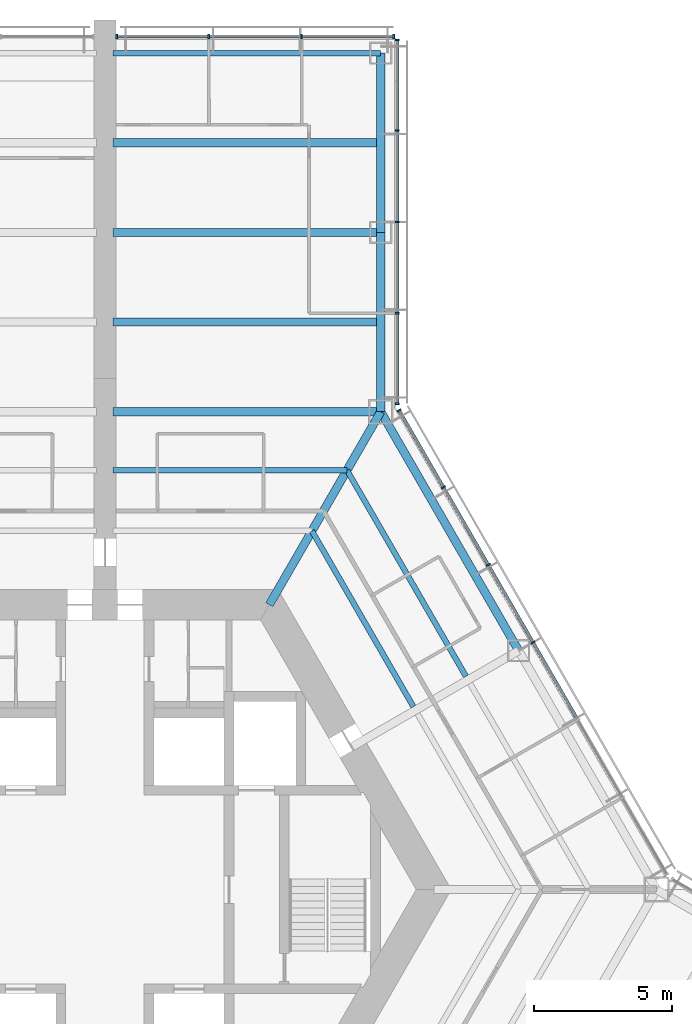
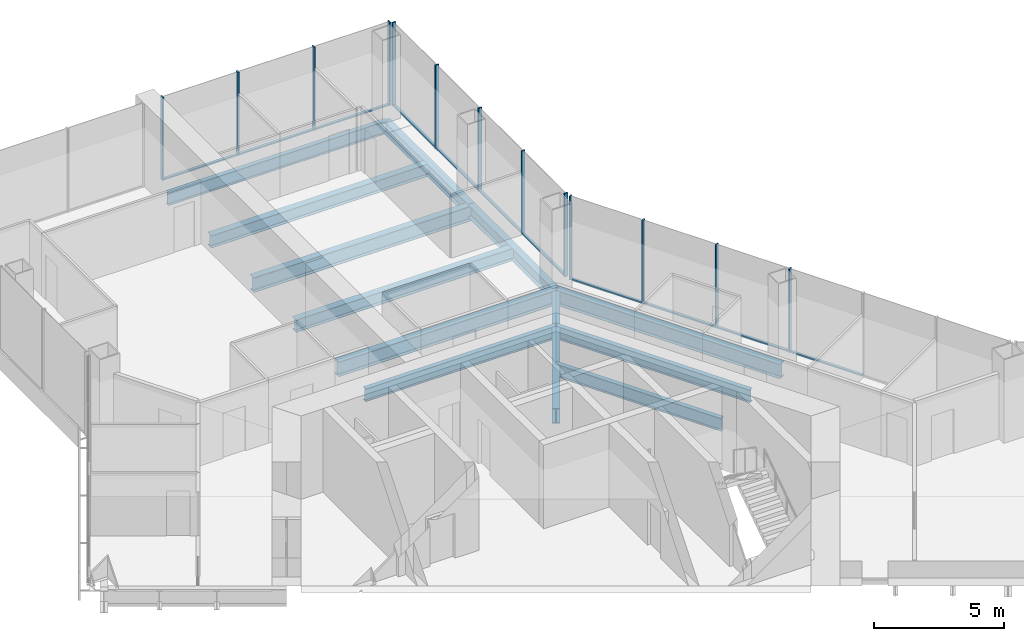
# One storey, part 8 of 19: 24 members, 12 beams, 3 elements without a shape of their own.
"""IFC4 building model written with IfcOpenShell, lengths in metres."""

from ifc_helpers import new_model, si_unit, direction, frame, origin, origin_2d, place, context, subcontext, project, spatial, rectangle, i_section, extrude, material, material_profile, profile_set, type_object, element, aggregate, save


model = new_model("IFC4")

# Units and contexts
model_context = context("Model", 3, precision=1e-05, world=origin(), true_north=direction((0.0, 1.0)))
body_context = subcontext(model_context, "Body", "Model", "MODEL_VIEW")
ifc_project = project(units=[si_unit("LENGTHUNIT", "METRE"), si_unit("AREAUNIT", "SQUARE_METRE"), si_unit("VOLUMEUNIT", "CUBIC_METRE"), si_unit("PLANEANGLEUNIT", "RADIAN"), si_unit("MASSUNIT", "GRAM", prefix="KILO")], contexts=[model_context])

# Site, building, storey
site_placement = place(None, origin())
site = spatial("IfcSite", under=ifc_project, at=site_placement, CompositionType="ELEMENT")
building_placement = place(site_placement, origin())
building = spatial("IfcBuilding", under=site, at=building_placement, Name="Kasaneha Research Tower", CompositionType="ELEMENT")
storey_placement = place(building_placement, frame((0.0, 0.0, 100.199951171875)))
storey = spatial("IfcBuildingStorey", under=building, at=storey_placement, Name="L25", CompositionType="ELEMENT", Elevation=100.199951171875)

# Beams
ifc_material_1 = material(Name="Steel SN490B", Category="steel")
ifc_material_profile_1 = material_profile(ifc_material_1, i_section(OverallWidth=0.199951171875, OverallDepth=0.60009765625, WebThickness=0.010986328125, FlangeThickness=0.01708984375, FilletRadius=0.012939453125, at=origin_2d()), Name="H-600x200x11x17")
ifc_profile_set_1 = profile_set([ifc_material_profile_1], Name="Steel SN490B")
beam_type_1 = type_object("IfcBeamType", Name="B1-3 secondary beam H-600x200x11x17", PredefinedType="JOIST", material=ifc_profile_set_1)
beam_1_placement = place(storey_placement, frame((7.505615234375, 13.0, -0.449951171875), z_axis=(0.499994443168, -0.866028611999, 0.0), x_axis=(0.866028611999, 0.499994443168, 0.0)))
element("IfcBeam", 1, at=beam_1_placement, inside=storey, type_object=beam_type_1, Name="Secondary beam RS030R1 L25", PredefinedType="JOIST", context=body_context, shape_type="SweptSolid", body=[
    extrude(i_section(OverallWidth=0.199951171875, OverallDepth=0.60009765625, WebThickness=0.010986328125, FlangeThickness=0.01708984375, FilletRadius=0.012939453125, at=origin_2d()), origin(), (0.0, 0.0, 1.0), 7.35546875),
])
beam_2_placement = place(storey_placement, frame((8.775634765625, 15.199951171875, -0.449951171875), z_axis=(0.500017275495, -0.866015429543, 0.0), x_axis=(0.866015429543, 0.500017275495, 0.0)))
element("IfcBeam", 2, at=beam_2_placement, inside=storey, type_object=beam_type_1, Name="Secondary beam RS030R2 L25", PredefinedType="JOIST", context=body_context, shape_type="SweptSolid", body=[
    extrude(i_section(OverallWidth=0.199951171875, OverallDepth=0.60009765625, WebThickness=0.010986328125, FlangeThickness=0.01708984375, FilletRadius=0.012939453125, at=origin_2d()), origin(), (0.0, 0.0, 1.0), 8.625732421875),
])
beam_3_placement = place(storey_placement, frame((8.775634765625, 15.199951171875, -0.449951171875), z_axis=(-1.0, 0.0, 0.0), x_axis=(0.0, -1.0, 0.0)))
element("IfcBeam", 3, at=beam_3_placement, inside=storey, type_object=beam_type_1, Name="Secondary beam RS090L2 L25", PredefinedType="JOIST", context=body_context, shape_type="SweptSolid", body=[
    extrude(i_section(OverallWidth=0.199951171875, OverallDepth=0.60009765625, WebThickness=0.010986328125, FlangeThickness=0.01708984375, FilletRadius=0.012939453125, at=origin_2d()), origin(), (0.0, 0.0, 1.0), 8.4755859375),
])
ifc_material_2 = material(Name="Steel SN490B", Category="steel")
ifc_material_profile_2 = material_profile(ifc_material_2, i_section(OverallWidth=0.300048828125, OverallDepth=0.58203125, WebThickness=0.011962890625, FlangeThickness=0.01708984375, FilletRadius=0.012939453125, at=origin_2d()), Name="H-582x300x12x17")
ifc_profile_set_2 = profile_set([ifc_material_profile_2], Name="Steel SN490B")
beam_type_2 = type_object("IfcBeamType", Name="B2-3 secondary beam H-582x300x12x17", PredefinedType="JOIST", material=ifc_profile_set_2)
for number, where, z_axis, x_axis, name in (
    (4, (10.0, 20.570556640625, -0.44091796875), (-1.0, 0.0, 0.0), (0.0, -1.0, 0.0), "Secondary beam WBAP1 L25"),
    (5, (10.0, 27.070556640625, -0.44091796875), (-1.0, 0.0, 0.0), (0.0, -1.0, 0.0), "Secondary beam WBAP2 L25"),
):
    element("IfcBeam", number, at=place(storey_placement, frame(where, z_axis=z_axis, x_axis=x_axis)), inside=storey, type_object=beam_type_2, Name=name, PredefinedType="JOIST", context=body_context, shape_type="SweptSolid", body=[
        extrude(i_section(OverallWidth=0.300048828125, OverallDepth=0.58203125, WebThickness=0.011962890625, FlangeThickness=0.01708984375, FilletRadius=0.012939453125, at=origin_2d()), origin(), (0.0, 0.0, 1.0), 9.699951171875),
    ])

# Curtain wall, members
ifc_material_3 = material(Name="Glass and aluminium", Category="aluminium")
curtain_wall_type = type_object("IfcCurtainWallType", Name="Low-rise office curtain wall", PredefinedType="USERDEFINED", material=ifc_material_3)
curtain_wall_1_placement = place(storey_placement, origin())
curtain_wall_1 = element("IfcCurtainWall", 6, at=curtain_wall_1_placement, inside=storey, type_object=curtain_wall_type, Name="CW-O1 L25 run 07a", ObjectType="UNITISED CURTAIN WALL", PredefinedType="USERDEFINED")
ifc_material_4 = material(Name="Aluminium 6063-T6", Category="aluminium")
ifc_material_profile_3 = material_profile(ifc_material_4, rectangle(XDim=0.06005859375, YDim=0.159912109375, at=origin_2d()), Name="CW-O1 mullion 60x160")
ifc_profile_set_3 = profile_set([ifc_material_profile_3], Name="Aluminium 6063-T6")
member_type_1 = type_object("IfcMemberType", Name="CW-O1 mullion", PredefinedType="MULLION", material=ifc_profile_set_3)
member_1_placement = place(storey_placement, frame((15.51953125, 8.960205078125, 0.0), z_axis=(0.0, 0.0, 1.0), x_axis=(-0.49999996188, 0.866025425793, 0.0)))
member_1 = element("IfcMember", 7, at=member_1_placement, type_object=member_type_1, Name="CW-O1 mullion 4", PredefinedType="MULLION", context=body_context, shape_type="SweptSolid", body=[
    extrude(rectangle(XDim=0.06005859375, YDim=0.159912109375, at=origin_2d()), origin(), (0.0, 0.0, 1.0), 3.900146484375),
])
member_2_placement = place(storey_placement, frame((13.896484375, 11.771728515625, 0.0), z_axis=(0.0, 0.0, 1.0), x_axis=(-0.49999996188, 0.866025425793, 0.0)))
member_2 = element("IfcMember", 8, at=member_2_placement, type_object=member_type_1, Name="CW-O1 mullion 5", PredefinedType="MULLION", context=body_context, shape_type="SweptSolid", body=[
    extrude(rectangle(XDim=0.06005859375, YDim=0.159912109375, at=origin_2d()), origin(), (0.0, 0.0, 1.0), 3.900146484375),
])
member_3_placement = place(storey_placement, frame((12.273193359375, 14.583251953125, 0.0), z_axis=(0.0, 0.0, 1.0), x_axis=(-0.49999996188, 0.866025425793, 0.0)))
member_3 = element("IfcMember", 9, at=member_3_placement, type_object=member_type_1, Name="CW-O1 mullion 6", PredefinedType="MULLION", context=body_context, shape_type="SweptSolid", body=[
    extrude(rectangle(XDim=0.06005859375, YDim=0.159912109375, at=origin_2d()), origin(), (0.0, 0.0, 1.0), 3.900146484375),
])
member_4_placement = place(storey_placement, frame((10.6650390625, 17.36865234375, 0.0), z_axis=(0.0, 0.0, 1.0), x_axis=(-0.49999996188, 0.866025425793, 0.0)))
member_4 = element("IfcMember", 10, at=member_4_placement, type_object=member_type_1, Name="CW-O1 mullion 7", PredefinedType="MULLION", context=body_context, shape_type="SweptSolid", body=[
    extrude(rectangle(XDim=0.06005859375, YDim=0.159912109375, at=origin_2d()), origin(), (0.0, 0.0, 1.0), 3.900146484375),
])

curtain_wall_2_placement = place(storey_placement, origin())
curtain_wall_2 = element("IfcCurtainWall", 11, at=curtain_wall_2_placement, inside=storey, type_object=curtain_wall_type, Name="CW-O1 L25 run 08a", ObjectType="UNITISED CURTAIN WALL", PredefinedType="USERDEFINED")
member_5_placement = place(storey_placement, frame((10.60009765625, 17.611328125, 0.0), z_axis=(0.0, 0.0, 1.0), x_axis=(0.0, 1.0, 0.0)))
member_5 = element("IfcMember", 12, at=member_5_placement, type_object=member_type_1, Name="CW-O1 mullion 1", PredefinedType="MULLION", context=body_context, shape_type="SweptSolid", body=[
    extrude(rectangle(XDim=0.06005859375, YDim=0.159912109375, at=origin_2d()), origin(), (0.0, 0.0, 1.0), 3.900146484375),
])
member_6_placement = place(storey_placement, frame((10.60009765625, 20.89111328125, 0.0), z_axis=(0.0, 0.0, 1.0), x_axis=(0.0, 1.0, 0.0)))
member_6 = element("IfcMember", 13, at=member_6_placement, type_object=member_type_1, Name="CW-O1 mullion 2", PredefinedType="MULLION", context=body_context, shape_type="SweptSolid", body=[
    extrude(rectangle(XDim=0.06005859375, YDim=0.159912109375, at=origin_2d()), origin(), (0.0, 0.0, 1.0), 3.900146484375),
])
member_7_placement = place(storey_placement, frame((10.60009765625, 24.200927734375, 0.0), z_axis=(0.0, 0.0, 1.0), x_axis=(0.0, 1.0, 0.0)))
member_7 = element("IfcMember", 14, at=member_7_placement, type_object=member_type_1, Name="CW-O1 mullion 3", PredefinedType="MULLION", context=body_context, shape_type="SweptSolid", body=[
    extrude(rectangle(XDim=0.06005859375, YDim=0.159912109375, at=origin_2d()), origin(), (0.0, 0.0, 1.0), 3.900146484375),
])
member_8_placement = place(storey_placement, frame((10.60009765625, 27.5107421875, 0.0), z_axis=(0.0, 0.0, 1.0), x_axis=(0.0, 1.0, 0.0)))
member_8 = element("IfcMember", 15, at=member_8_placement, type_object=member_type_1, Name="CW-O1 mullion 4", PredefinedType="MULLION", context=body_context, shape_type="SweptSolid", body=[
    extrude(rectangle(XDim=0.06005859375, YDim=0.159912109375, at=origin_2d()), origin(), (0.0, 0.0, 1.0), 3.900146484375),
])
member_9_placement = place(storey_placement, frame((10.60009765625, 30.79052734375, 0.0), z_axis=(0.0, 0.0, 1.0), x_axis=(0.0, 1.0, 0.0)))
member_9 = element("IfcMember", 16, at=member_9_placement, type_object=member_type_1, Name="CW-O1 mullion 5", PredefinedType="MULLION", context=body_context, shape_type="SweptSolid", body=[
    extrude(rectangle(XDim=0.06005859375, YDim=0.159912109375, at=origin_2d()), origin(), (0.0, 0.0, 1.0), 3.900146484375),
])

curtain_wall_3_placement = place(storey_placement, origin())
curtain_wall_3 = element("IfcCurtainWall", 17, at=curtain_wall_3_placement, inside=storey, type_object=curtain_wall_type, Name="CW-O1 L25 run 09a", ObjectType="UNITISED CURTAIN WALL", PredefinedType="USERDEFINED")
member_10_placement = place(storey_placement, frame((10.469970703125, 30.92041015625, 0.0), z_axis=(0.0, 0.0, 1.0), x_axis=(-1.0, 0.0, 0.0)))
member_10 = element("IfcMember", 18, at=member_10_placement, type_object=member_type_1, Name="CW-O1 mullion 1", PredefinedType="MULLION", context=body_context, shape_type="SweptSolid", body=[
    extrude(rectangle(XDim=0.06005859375, YDim=0.159912109375, at=origin_2d()), origin(), (0.0, 0.0, 1.0), 3.900146484375),
])
member_11_placement = place(storey_placement, frame((7.13330078125, 30.92041015625, 0.0), z_axis=(0.0, 0.0, 1.0), x_axis=(-1.0, 0.0, 0.0)))
member_11 = element("IfcMember", 19, at=member_11_placement, type_object=member_type_1, Name="CW-O1 mullion 2", PredefinedType="MULLION", context=body_context, shape_type="SweptSolid", body=[
    extrude(rectangle(XDim=0.06005859375, YDim=0.159912109375, at=origin_2d()), origin(), (0.0, 0.0, 1.0), 3.900146484375),
])
member_12_placement = place(storey_placement, frame((3.7666015625, 30.92041015625, 0.0), z_axis=(0.0, 0.0, 1.0), x_axis=(-1.0, 0.0, 0.0)))
member_12 = element("IfcMember", 20, at=member_12_placement, type_object=member_type_1, Name="CW-O1 mullion 3", PredefinedType="MULLION", context=body_context, shape_type="SweptSolid", body=[
    extrude(rectangle(XDim=0.06005859375, YDim=0.159912109375, at=origin_2d()), origin(), (0.0, 0.0, 1.0), 3.900146484375),
])
member_13_placement = place(storey_placement, frame((0.429931640625, 30.92041015625, 0.0), z_axis=(0.0, 0.0, 1.0), x_axis=(-1.0, 0.0, 0.0)))
member_13 = element("IfcMember", 21, at=member_13_placement, type_object=member_type_1, Name="CW-O1 mullion 4", PredefinedType="MULLION", context=body_context, shape_type="SweptSolid", body=[
    extrude(rectangle(XDim=0.06005859375, YDim=0.159912109375, at=origin_2d()), origin(), (0.0, 0.0, 1.0), 3.900146484375),
])

# Member
ifc_material_5 = material(Name="Aluminium 6063-T6", Category="aluminium")
ifc_material_profile_4 = material_profile(ifc_material_5, rectangle(XDim=0.1201171875, YDim=0.06005859375, at=origin_2d()), Name="CW-O1 transom 120x60")
ifc_profile_set_4 = profile_set([ifc_material_profile_4], Name="Aluminium 6063-T6")
member_type_2 = type_object("IfcMemberType", Name="CW-O1 transom", PredefinedType="USERDEFINED", material=ifc_profile_set_4)
member_14_placement = place(storey_placement, frame((17.1279296875, 6.1748046875, 0.030029296875), z_axis=(-0.500012062035, 0.866018439653, 0.0), x_axis=(-0.866018439653, -0.500012062035, 0.0)))
member_14 = element("IfcMember", 22, at=member_14_placement, type_object=member_type_2, Name="CW-O1 transom 3", ObjectType="TRANSOM", PredefinedType="USERDEFINED", context=body_context, shape_type="SweptSolid", body=[
    extrude(rectangle(XDim=0.1201171875, YDim=0.06005859375, at=origin_2d()), origin(), (0.0, 0.0, 1.0), 3.1865234375),
])

member_15_placement = place(storey_placement, frame((15.504638671875, 8.986328125, 0.030029296875), z_axis=(-0.500012062035, 0.866018439653, 0.0), x_axis=(-0.866018439653, -0.500012062035, 0.0)))
member_15 = element("IfcMember", 23, at=member_15_placement, type_object=member_type_2, Name="CW-O1 transom 4", ObjectType="TRANSOM", PredefinedType="USERDEFINED", context=body_context, shape_type="SweptSolid", body=[
    extrude(rectangle(XDim=0.1201171875, YDim=0.06005859375, at=origin_2d()), origin(), (0.0, 0.0, 1.0), 3.1865234375),
])

member_16_placement = place(storey_placement, frame((13.88134765625, 11.797607421875, 0.030029296875), z_axis=(-0.500012062035, 0.866018439653, 0.0), x_axis=(-0.866018439653, -0.500012062035, 0.0)))
member_16 = element("IfcMember", 24, at=member_16_placement, type_object=member_type_2, Name="CW-O1 transom 5", ObjectType="TRANSOM", PredefinedType="USERDEFINED", context=body_context, shape_type="SweptSolid", body=[
    extrude(rectangle(XDim=0.1201171875, YDim=0.06005859375, at=origin_2d()), origin(), (0.0, 0.0, 1.0), 3.1865234375),
])

member_17_placement = place(storey_placement, frame((12.25830078125, 14.609130859375, 0.030029296875), z_axis=(-0.500023726918, 0.866011704609, 0.0), x_axis=(-0.866011704609, -0.500023726918, 0.0)))
member_17 = element("IfcMember", 25, at=member_17_placement, type_object=member_type_2, Name="CW-O1 transom 6", ObjectType="TRANSOM", PredefinedType="USERDEFINED", context=body_context, shape_type="SweptSolid", body=[
    extrude(rectangle(XDim=0.1201171875, YDim=0.06005859375, at=origin_2d()), origin(), (0.0, 0.0, 1.0), 3.156494140625),
])

aggregate(curtain_wall_1, [member_1, member_2, member_3, member_4, member_14, member_15, member_16, member_17])

member_18_placement = place(storey_placement, frame((10.60009765625, 17.641357421875, 0.030029296875), z_axis=(0.0, 1.0, 0.0), x_axis=(-1.0, 0.0, 0.0)))
member_18 = element("IfcMember", 26, at=member_18_placement, type_object=member_type_2, Name="CW-O1 transom 1", ObjectType="TRANSOM", PredefinedType="USERDEFINED", context=body_context, shape_type="SweptSolid", body=[
    extrude(rectangle(XDim=0.1201171875, YDim=0.06005859375, at=origin_2d()), origin(), (0.0, 0.0, 1.0), 3.2197265625),
])

member_19_placement = place(storey_placement, frame((10.60009765625, 20.921142578125, 0.030029296875), z_axis=(0.0, 1.0, 0.0), x_axis=(-1.0, 0.0, 0.0)))
member_19 = element("IfcMember", 27, at=member_19_placement, type_object=member_type_2, Name="CW-O1 transom 2", ObjectType="TRANSOM", PredefinedType="USERDEFINED", context=body_context, shape_type="SweptSolid", body=[
    extrude(rectangle(XDim=0.1201171875, YDim=0.06005859375, at=origin_2d()), origin(), (0.0, 0.0, 1.0), 3.249755859375),
])

member_20_placement = place(storey_placement, frame((10.60009765625, 24.23095703125, 0.030029296875), z_axis=(0.0, 1.0, 0.0), x_axis=(-1.0, 0.0, 0.0)))
member_20 = element("IfcMember", 28, at=member_20_placement, type_object=member_type_2, Name="CW-O1 transom 3", ObjectType="TRANSOM", PredefinedType="USERDEFINED", context=body_context, shape_type="SweptSolid", body=[
    extrude(rectangle(XDim=0.1201171875, YDim=0.06005859375, at=origin_2d()), origin(), (0.0, 0.0, 1.0), 3.249755859375),
])

member_21_placement = place(storey_placement, frame((10.60009765625, 27.540771484375, 0.030029296875), z_axis=(0.0, 1.0, 0.0), x_axis=(-1.0, 0.0, 0.0)))
member_21 = element("IfcMember", 29, at=member_21_placement, type_object=member_type_2, Name="CW-O1 transom 4", ObjectType="TRANSOM", PredefinedType="USERDEFINED", context=body_context, shape_type="SweptSolid", body=[
    extrude(rectangle(XDim=0.1201171875, YDim=0.06005859375, at=origin_2d()), origin(), (0.0, 0.0, 1.0), 3.2197265625),
])

aggregate(curtain_wall_2, [member_5, member_6, member_7, member_8, member_9, member_18, member_19, member_20, member_21])

member_22_placement = place(storey_placement, frame((10.43994140625, 30.92041015625, 0.030029296875), z_axis=(-1.0, 0.0, 0.0), x_axis=(0.0, -1.0, 0.0)))
member_22 = element("IfcMember", 30, at=member_22_placement, type_object=member_type_2, Name="CW-O1 transom 1", ObjectType="TRANSOM", PredefinedType="USERDEFINED", context=body_context, shape_type="SweptSolid", body=[
    extrude(rectangle(XDim=0.1201171875, YDim=0.06005859375, at=origin_2d()), origin(), (0.0, 0.0, 1.0), 3.276611328125),
])

member_23_placement = place(storey_placement, frame((7.103271484375, 30.92041015625, 0.030029296875), z_axis=(-1.0, 0.0, 0.0), x_axis=(0.0, -1.0, 0.0)))
member_23 = element("IfcMember", 31, at=member_23_placement, type_object=member_type_2, Name="CW-O1 transom 2", ObjectType="TRANSOM", PredefinedType="USERDEFINED", context=body_context, shape_type="SweptSolid", body=[
    extrude(rectangle(XDim=0.1201171875, YDim=0.06005859375, at=origin_2d()), origin(), (0.0, 0.0, 1.0), 3.306640625),
])

member_24_placement = place(storey_placement, frame((3.736572265625, 30.92041015625, 0.030029296875), z_axis=(-1.0, 0.0, 0.0), x_axis=(0.0, -1.0, 0.0)))
member_24 = element("IfcMember", 32, at=member_24_placement, type_object=member_type_2, Name="CW-O1 transom 3", ObjectType="TRANSOM", PredefinedType="USERDEFINED", context=body_context, shape_type="SweptSolid", body=[
    extrude(rectangle(XDim=0.1201171875, YDim=0.06005859375, at=origin_2d()), origin(), (0.0, 0.0, 1.0), 3.276611328125),
])

aggregate(curtain_wall_3, [member_10, member_11, member_12, member_13, member_22, member_23, member_24])

# Beams
ifc_material_6 = material(Name="Steel SN490B", Category="steel")
ifc_material_profile_5 = material_profile(ifc_material_6, i_section(OverallWidth=0.300048828125, OverallDepth=0.699951171875, WebThickness=0.012939453125, FlangeThickness=0.02392578125, FilletRadius=0.01806640625, at=origin_2d()), Name="H-700x300x13x24")
ifc_profile_set_5 = profile_set([ifc_material_profile_5], Name="Steel SN490B")
beam_type_3 = type_object("IfcBeamType", Name="G1-3 radial girder H-700x300x13x24", PredefinedType="BEAM", material=ifc_profile_set_5)
beam_4_placement = place(storey_placement, frame((5.961181640625, 10.324951171875, -0.5), z_axis=(0.49999105496, 0.866030568144, 0.0), x_axis=(-0.866030568144, 0.49999105496, 0.0)))
element("IfcBeam", 33, at=beam_4_placement, inside=storey, type_object=beam_type_3, Name="Radial girder RV060 L25", PredefinedType="BEAM", context=body_context, shape_type="SweptSolid", body=[
    extrude(i_section(OverallWidth=0.300048828125, OverallDepth=0.699951171875, WebThickness=0.012939453125, FlangeThickness=0.02392578125, FilletRadius=0.01806640625, at=origin_2d()), origin(), (0.0, 0.0, 1.0), 8.077880859375),
])
ifc_material_7 = material(Name="Steel SN490B", Category="steel")
ifc_material_profile_6 = material_profile(ifc_material_7, i_section(OverallWidth=0.300048828125, OverallDepth=0.69189453125, WebThickness=0.012939453125, FlangeThickness=0.02001953125, FilletRadius=0.01806640625, at=origin_2d()), Name="H-692x300x13x20")
ifc_profile_set_6 = profile_set([ifc_material_profile_6], Name="Steel SN490B")
beam_type_4 = type_object("IfcBeamType", Name="G3-3 plate edge girder H-692x300x13x20", PredefinedType="BEAM", material=ifc_profile_set_6)
beam_5_placement = place(storey_placement, frame((10.0, 17.320556640625, -0.495849609375), z_axis=(-1.0, 0.0, 0.0), x_axis=(0.0, -1.0, 0.0)))
element("IfcBeam", 34, at=beam_5_placement, inside=storey, type_object=beam_type_4, Name="Plate edge girder PEAP L25", PredefinedType="BEAM", context=body_context, shape_type="SweptSolid", body=[
    extrude(i_section(OverallWidth=0.300048828125, OverallDepth=0.69189453125, WebThickness=0.012939453125, FlangeThickness=0.02001953125, FilletRadius=0.01806640625, at=origin_2d()), origin(), (0.0, 0.0, 1.0), 9.699951171875),
])
ifc_material_8 = material(Name="Steel SN490B", Category="steel")
ifc_material_profile_7 = material_profile(ifc_material_8, i_section(OverallWidth=0.300048828125, OverallDepth=0.699951171875, WebThickness=0.012939453125, FlangeThickness=0.02392578125, FilletRadius=0.01806640625, at=origin_2d()), Name="H-700x300x13x24")
ifc_profile_set_7 = profile_set([ifc_material_profile_7], Name="Steel SN490B")
beam_type_5 = type_object("IfcBeamType", Name="G4-3 wing girder H-700x300x13x24", PredefinedType="BEAM", material=ifc_profile_set_7)
beam_6_placement = place(storey_placement, frame((10.0, 23.820556640625, -0.5), z_axis=(-1.0, 0.0, 0.0), x_axis=(0.0, -1.0, 0.0)))
element("IfcBeam", 35, at=beam_6_placement, inside=storey, type_object=beam_type_5, Name="Wing girder WGAP L25", PredefinedType="BEAM", context=body_context, shape_type="SweptSolid", body=[
    extrude(i_section(OverallWidth=0.300048828125, OverallDepth=0.699951171875, WebThickness=0.012939453125, FlangeThickness=0.02392578125, FilletRadius=0.01806640625, at=origin_2d()), origin(), (0.0, 0.0, 1.0), 9.699951171875),
])
ifc_material_9 = material(Name="Steel SN490B", Category="steel")
ifc_material_profile_8 = material_profile(ifc_material_9, i_section(OverallWidth=0.300048828125, OverallDepth=0.69189453125, WebThickness=0.012939453125, FlangeThickness=0.02001953125, FilletRadius=0.01806640625, at=origin_2d()), Name="H-692x300x13x20")
ifc_profile_set_8 = profile_set([ifc_material_profile_8], Name="Steel SN490B")
beam_type_6 = type_object("IfcBeamType", Name="SB1-3 spandrel beam H-692x300x13x20", PredefinedType="SPANDREL", material=ifc_profile_set_8)
beam_7_placement = place(storey_placement, frame((10.0, 17.320556640625, -0.495849609375), z_axis=(0.499993662806, -0.866029062534, 0.0), x_axis=(0.866029062534, 0.499993662806, 0.0)))
element("IfcBeam", 36, at=beam_7_placement, inside=storey, type_object=beam_type_6, Name="Spandrel beam SR030R L25", PredefinedType="SPANDREL", context=body_context, shape_type="SweptSolid", body=[
    extrude(i_section(OverallWidth=0.300048828125, OverallDepth=0.69189453125, WebThickness=0.012939453125, FlangeThickness=0.02001953125, FilletRadius=0.01806640625, at=origin_2d()), origin(), (0.0, 0.0, 1.0), 10.000244140625),
])
ifc_material_10 = material(Name="Steel SN490B", Category="steel")
ifc_material_profile_9 = material_profile(ifc_material_10, i_section(OverallWidth=0.300048828125, OverallDepth=0.58203125, WebThickness=0.011962890625, FlangeThickness=0.01708984375, FilletRadius=0.012939453125, at=origin_2d()), Name="H-582x300x12x17")
ifc_profile_set_9 = profile_set([ifc_material_profile_9], Name="Steel SN490B")
beam_type_7 = type_object("IfcBeamType", Name="SB2-3 spandrel beam H-582x300x12x17", PredefinedType="SPANDREL", material=ifc_profile_set_9)
for number, where, z_axis, x_axis, name in (
    (37, (10.0, 17.320556640625, -0.44091796875), (0.0, 1.0, 0.0), (-1.0, 0.0, 0.0), "Spandrel beam WSAP1 L25"),
    (38, (10.0, 23.820556640625, -0.44091796875), (0.0, 1.0, 0.0), (-1.0, 0.0, 0.0), "Spandrel beam WSAP2 L25"),
):
    element("IfcBeam", number, at=place(storey_placement, frame(where, z_axis=z_axis, x_axis=x_axis)), inside=storey, type_object=beam_type_7, Name=name, PredefinedType="SPANDREL", context=body_context, shape_type="SweptSolid", body=[
        extrude(i_section(OverallWidth=0.300048828125, OverallDepth=0.58203125, WebThickness=0.011962890625, FlangeThickness=0.01708984375, FilletRadius=0.012939453125, at=origin_2d()), origin(), (0.0, 0.0, 1.0), 6.5),
    ])
ifc_material_11 = material(Name="Steel SN490B", Category="steel")
ifc_material_profile_10 = material_profile(ifc_material_11, i_section(OverallWidth=0.199951171875, OverallDepth=0.60009765625, WebThickness=0.010986328125, FlangeThickness=0.01708984375, FilletRadius=0.012939453125, at=origin_2d()), Name="H-600x200x11x17")
ifc_profile_set_10 = profile_set([ifc_material_profile_10], Name="Steel SN490B")
beam_type_8 = type_object("IfcBeamType", Name="SB3-3 spandrel beam H-600x200x11x17", PredefinedType="SPANDREL", material=ifc_profile_set_10)
beam_8_placement = place(storey_placement, frame((10.0, 30.320556640625, -0.449951171875), z_axis=(-1.0, 0.0, 0.0), x_axis=(0.0, -1.0, 0.0)))
element("IfcBeam", 39, at=beam_8_placement, inside=storey, type_object=beam_type_8, Name="Spandrel beam WTAP L25", PredefinedType="SPANDREL", context=body_context, shape_type="SweptSolid", body=[
    extrude(i_section(OverallWidth=0.199951171875, OverallDepth=0.60009765625, WebThickness=0.010986328125, FlangeThickness=0.01708984375, FilletRadius=0.012939453125, at=origin_2d()), origin(), (0.0, 0.0, 1.0), 9.699951171875),
])

save(model, "model.ifc")
